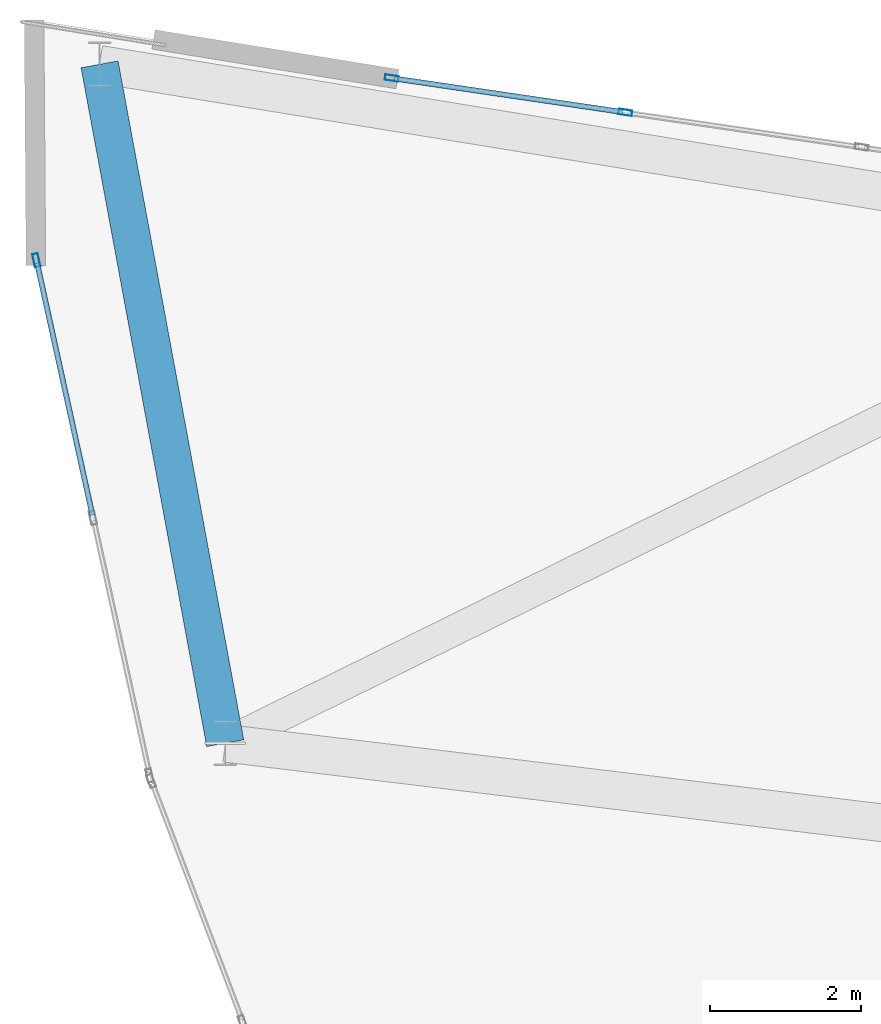
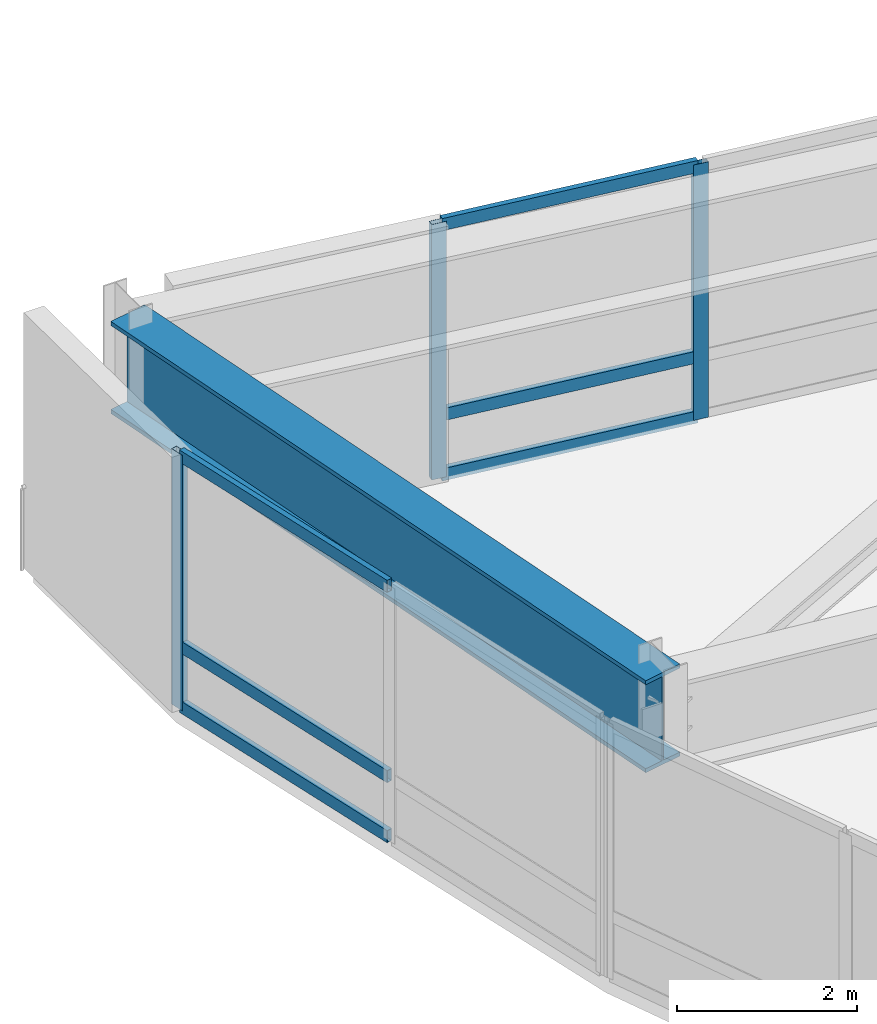
# One storey, part 10 of 23: 9 members, 1 beam, 2 elements without a shape of their own.
"""IFC4 building model written with IfcOpenShell, lengths in metres."""

from ifc_helpers import new_model, si_unit, direction, frame, origin, origin_2d, place, context, subcontext, project, spatial, hollow_rectangle, i_section, extrude, material, layer, layer_set, material_profile, profile_set, type_object, element, aggregate, save


model = new_model("IFC4")

# Units and contexts
model_context = context("Model", 3, precision=1e-05, world=origin(), true_north=direction((0.0, 1.0)))
body_context = subcontext(model_context, "Body", "Model", "MODEL_VIEW")
ifc_project = project(units=[si_unit("LENGTHUNIT", "METRE"), si_unit("AREAUNIT", "SQUARE_METRE"), si_unit("VOLUMEUNIT", "CUBIC_METRE"), si_unit("PLANEANGLEUNIT", "RADIAN"), si_unit("MASSUNIT", "GRAM", prefix="KILO")], contexts=[model_context])

# Site, building, storey
site_placement = place(None, origin())
site = spatial("IfcSite", under=ifc_project, at=site_placement, CompositionType="ELEMENT")
building_placement = place(site_placement, origin())
building = spatial("IfcBuilding", under=site, at=building_placement, Name="Menara Vayukalpa", CompositionType="ELEMENT")
storey_placement = place(building_placement, frame((0.0, 0.0, 107.699951171875)))
storey = spatial("IfcBuildingStorey", under=building, at=storey_placement, Name="L26", CompositionType="ELEMENT", Elevation=107.699951171875)

# Beam
ifc_material_1 = material(Name="Steel S460", Category="steel")
ifc_material_profile_1 = material_profile(ifc_material_1, i_section(OverallWidth=0.5, OverallDepth=1.25, WebThickness=0.028076171875, FlangeThickness=0.054931640625, at=origin_2d()), Name="WG 1250x500x28x55")
ifc_profile_set_1 = profile_set([ifc_material_profile_1], Name="Steel S460")
beam_type = type_object("IfcBeamType", Name="BM-TG2", PredefinedType="BEAM", material=ifc_profile_set_1)
beam_placement = place(storey_placement, frame((-0.4287109375, 38.2373046875, 2.844970703125), z_axis=(0.182027272378, -0.983293482187, 0.0), x_axis=(0.983293482187, 0.182027272378, 0.0)))
element("IfcBeam", 1, at=beam_placement, inside=storey, type_object=beam_type, Name="L26 SB2 Sky Bar Edge Girder 1", PredefinedType="BEAM", context=body_context, shape_type="SweptSolid", body=[
    extrude(i_section(OverallWidth=0.5, OverallDepth=1.25, WebThickness=0.028076171875, FlangeThickness=0.054931640625, at=origin_2d()), origin(), (0.0, 0.0, 1.0), 9.167236328125),
])

# Curtain wall, members
ifc_material_2 = material(Name="Anodised Terracotta Aluminium Alloy 6063-T6", Category="masonry")
ifc_layer = layer(ifc_material_2, 0.179931640625)
ifc_layer_set = layer_set([ifc_layer], Name="Anodised Terracotta Aluminium Alloy 6063-T6")
curtain_wall_type = type_object("IfcCurtainWallType", Name="CW-CW4", PredefinedType="USERDEFINED", material=ifc_layer_set)
curtain_wall_1_placement = place(storey_placement, origin())
curtain_wall_1 = element("IfcCurtainWall", 2, at=curtain_wall_1_placement, inside=storey, type_object=curtain_wall_type, Name="L26 Sky Bar Cantilever Glazed Curtain Wall CW4 07", ObjectType="UNITISED", PredefinedType="USERDEFINED")
ifc_material_3 = material(Name="Anodised Terracotta Aluminium Alloy 6063-T6", Category="masonry")
ifc_material_profile_2 = material_profile(ifc_material_3, hollow_rectangle(XDim=0.074951171875, YDim=0.179931640625, WallThickness=0.00390625, at=origin_2d()), Name="ALU 75x180x4")
ifc_profile_set_2 = profile_set([ifc_material_profile_2], Name="Anodised Terracotta Aluminium Alloy 6063-T6")
member_type_1 = type_object("IfcMemberType", Name="CWM-CW4", PredefinedType="MULLION", material=ifc_profile_set_2)
member_1_placement = place(storey_placement, frame((6.552001953125, 37.598876953125, 0.0), z_axis=(0.0, 0.0, 1.0), x_axis=(-0.145450733924, -0.989365495659, 0.0)))
member_1 = element("IfcMember", 3, at=member_1_placement, type_object=member_type_1, Name="CW4 mullion 3", PredefinedType="MULLION", context=body_context, shape_type="SweptSolid", body=[
    extrude(hollow_rectangle(XDim=0.074951171875, YDim=0.179931640625, WallThickness=0.00390625, at=origin_2d()), origin(), (0.0, 0.0, 1.0), 3.469970703125),
])
member_2_placement = place(storey_placement, frame((3.4501953125, 38.054931640625, 0.0), z_axis=(0.0, 0.0, 1.0), x_axis=(-0.145450733924, -0.989365495659, 0.0)))
member_2 = element("IfcMember", 4, at=member_2_placement, type_object=member_type_1, Name="CW4 mullion 4", PredefinedType="MULLION", context=body_context, shape_type="SweptSolid", body=[
    extrude(hollow_rectangle(XDim=0.074951171875, YDim=0.179931640625, WallThickness=0.00390625, at=origin_2d()), origin(), (0.0, 0.0, 1.0), 3.469970703125),
])

# Curtain wall, member
curtain_wall_2_placement = place(storey_placement, origin())
curtain_wall_2 = element("IfcCurtainWall", 5, at=curtain_wall_2_placement, inside=storey, type_object=curtain_wall_type, Name="L26 Sky Bar Cantilever Glazed Curtain Wall CW4 10", ObjectType="UNITISED", PredefinedType="USERDEFINED")
member_3_placement = place(storey_placement, frame((-1.267333984375, 35.635986328125, 0.0), z_axis=(0.0, 0.0, 1.0), x_axis=(0.976721757533, 0.214510159112, 0.0)))
member_3 = element("IfcMember", 6, at=member_3_placement, type_object=member_type_1, Name="CW4 mullion 1", PredefinedType="MULLION", context=body_context, shape_type="SweptSolid", body=[
    extrude(hollow_rectangle(XDim=0.074951171875, YDim=0.179931640625, WallThickness=0.00390625, at=origin_2d()), origin(), (0.0, 0.0, 1.0), 3.469970703125),
])

# Member
ifc_material_4 = material(Name="Anodised Terracotta Aluminium Alloy 6063-T6", Category="masonry")
ifc_material_profile_3 = material_profile(ifc_material_4, hollow_rectangle(XDim=0.070068359375, YDim=0.1650390625, WallThickness=0.00390625, at=origin_2d()), Name="ALU 70x165x4")
ifc_profile_set_3 = profile_set([ifc_material_profile_3], Name="Anodised Terracotta Aluminium Alloy 6063-T6")
member_type_2 = type_object("IfcMemberType", Name="CWT-CW4", PredefinedType="USERDEFINED", material=ifc_profile_set_3)
member_4_placement = place(storey_placement, frame((6.514892578125, 37.604248046875, 0.03515625), z_axis=(-0.989366902659, 0.145441163096, 0.0), x_axis=(-0.145441163096, -0.989366902659, 0.0)))
member_4 = element("IfcMember", 7, at=member_4_placement, type_object=member_type_2, Name="CW4 transom 3.1", ObjectType="TRANSOM", PredefinedType="USERDEFINED", context=body_context, shape_type="SweptSolid", body=[
    extrude(hollow_rectangle(XDim=0.070068359375, YDim=0.1650390625, WallThickness=0.00390625, at=origin_2d()), origin(), (0.0, 0.0, 1.0), 3.06005859375),
])

member_5_placement = place(storey_placement, frame((6.514892578125, 37.604248046875, 0.85009765625), z_axis=(-0.989366902659, 0.145441163096, 0.0), x_axis=(-0.145441163096, -0.989366902659, 0.0)))
member_5 = element("IfcMember", 8, at=member_5_placement, type_object=member_type_2, Name="CW4 transom 3.2", ObjectType="TRANSOM", PredefinedType="USERDEFINED", context=body_context, shape_type="SweptSolid", body=[
    extrude(hollow_rectangle(XDim=0.070068359375, YDim=0.1650390625, WallThickness=0.00390625, at=origin_2d()), origin(), (0.0, 0.0, 1.0), 3.06005859375),
])

member_6_placement = place(storey_placement, frame((6.514892578125, 37.604248046875, 3.43505859375), z_axis=(-0.989366902659, 0.145441163096, 0.0), x_axis=(-0.145441163096, -0.989366902659, 0.0)))
member_6 = element("IfcMember", 9, at=member_6_placement, type_object=member_type_2, Name="CW4 transom 3.3", ObjectType="TRANSOM", PredefinedType="USERDEFINED", context=body_context, shape_type="SweptSolid", body=[
    extrude(hollow_rectangle(XDim=0.070068359375, YDim=0.1650390625, WallThickness=0.00390625, at=origin_2d()), origin(), (0.0, 0.0, 1.0), 3.06005859375),
])

aggregate(curtain_wall_1, [member_1, member_2, member_4, member_5, member_6])

member_7_placement = place(storey_placement, frame((-1.25927734375, 35.599365234375, 0.03515625), z_axis=(0.21453159436, -0.976717049621, 0.0), x_axis=(0.976717049621, 0.21453159436, 0.0)))
member_7 = element("IfcMember", 10, at=member_7_placement, type_object=member_type_2, Name="CW4 transom 1.1", ObjectType="TRANSOM", PredefinedType="USERDEFINED", context=body_context, shape_type="SweptSolid", body=[
    extrude(hollow_rectangle(XDim=0.070068359375, YDim=0.1650390625, WallThickness=0.00390625, at=origin_2d()), origin(), (0.0, 0.0, 1.0), 3.427734375),
])

member_8_placement = place(storey_placement, frame((-1.25927734375, 35.599365234375, 0.85009765625), z_axis=(0.21453159436, -0.976717049621, 0.0), x_axis=(0.976717049621, 0.21453159436, 0.0)))
member_8 = element("IfcMember", 11, at=member_8_placement, type_object=member_type_2, Name="CW4 transom 1.2", ObjectType="TRANSOM", PredefinedType="USERDEFINED", context=body_context, shape_type="SweptSolid", body=[
    extrude(hollow_rectangle(XDim=0.070068359375, YDim=0.1650390625, WallThickness=0.00390625, at=origin_2d()), origin(), (0.0, 0.0, 1.0), 3.427734375),
])

member_9_placement = place(storey_placement, frame((-1.25927734375, 35.599365234375, 3.43505859375), z_axis=(0.21453159436, -0.976717049621, 0.0), x_axis=(0.976717049621, 0.21453159436, 0.0)))
member_9 = element("IfcMember", 12, at=member_9_placement, type_object=member_type_2, Name="CW4 transom 1.3", ObjectType="TRANSOM", PredefinedType="USERDEFINED", context=body_context, shape_type="SweptSolid", body=[
    extrude(hollow_rectangle(XDim=0.070068359375, YDim=0.1650390625, WallThickness=0.00390625, at=origin_2d()), origin(), (0.0, 0.0, 1.0), 3.427734375),
])

aggregate(curtain_wall_2, [member_3, member_7, member_8, member_9])

save(model, "model.ifc")
